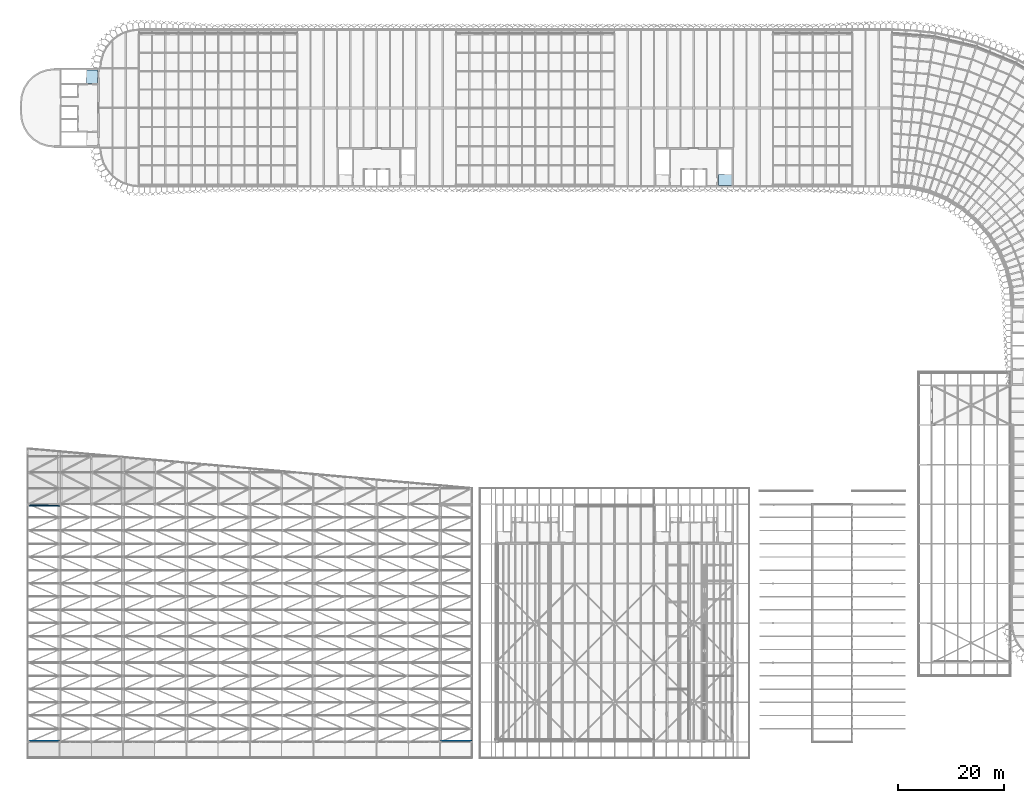
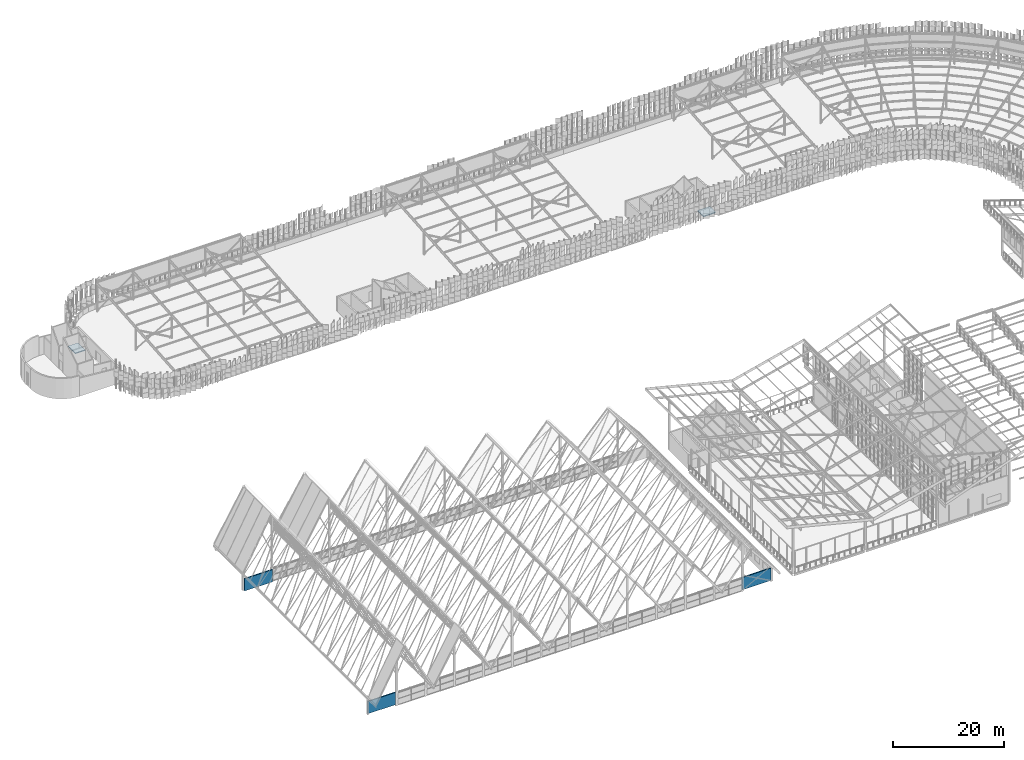
# One storey, part 114 of 483: 3 walls, 2 slabs.
"""IFC4 building model written with IfcOpenShell, lengths in metres."""

from ifc_helpers import new_model, si_unit, direction, frame, frame_2d, origin, place, context, subcontext, project, spatial, polyline, rectangle, outline, extrude, material, layer, layer_set, type_object, element, save


model = new_model("IFC4")

# Units and contexts
model_context = context("Model", 3, precision=1e-05, world=origin(), true_north=direction((0.0, 1.0)))
body_context = subcontext(model_context, "Body", "Model", "MODEL_VIEW")
ifc_project = project(units=[si_unit("LENGTHUNIT", "METRE"), si_unit("AREAUNIT", "SQUARE_METRE"), si_unit("VOLUMEUNIT", "CUBIC_METRE"), si_unit("PLANEANGLEUNIT", "RADIAN"), si_unit("MASSUNIT", "GRAM", prefix="KILO")], contexts=[model_context])

# Site, building, storey
site_placement = place(None, origin())
site = spatial("IfcSite", under=ifc_project, at=site_placement, CompositionType="ELEMENT")
building_placement = place(site_placement, origin())
building = spatial("IfcBuilding", under=site, at=building_placement, Name="Parallax Yard Mobility Hub", CompositionType="ELEMENT")
storey_placement = place(building_placement, frame((0.0, 0.0, 13.199951171875)))
storey = spatial("IfcBuildingStorey", under=building, at=storey_placement, Name="L04", CompositionType="ELEMENT", Elevation=13.199951171875)

# Slabs
ifc_material = material(Name="Concrete fc' 35 MPa", Category="concrete")
ifc_layer_1 = layer(ifc_material, 0.199951171875)
ifc_layer_set_1 = layer_set([ifc_layer_1], Name="Stair floor landing slab 200")
slab_type = type_object("IfcSlabType", Name="Stair floor landing slab 200", PredefinedType="FLOOR", material=ifc_layer_set_1)
slab_1_placement = place(storey_placement, frame((0.0, 0.0, -0.199951171875)))
element("IfcSlab", 1, at=slab_1_placement, inside=storey, type_object=slab_type, Name="Core C-W exit stair 2 floor landing level L04", PredefinedType="FLOOR", context=body_context, shape_type="SweptSolid", body=[
    extrude(outline(polyline([(20.10009765625, 132.14990234375), (20.10009765625, 134.699951171875), (22.199951171875, 134.699951171875), (22.199951171875, 132.14990234375), (20.10009765625, 132.14990234375)])), origin(), (0.0, 0.0, 1.0), 0.199951171875),
])
slab_2_placement = place(storey_placement, frame((0.0, 0.0, -0.199951171875)))
element("IfcSlab", 2, at=slab_2_placement, inside=storey, type_object=slab_type, Name="Core C-N2 exit stair 1 floor landing level L04", PredefinedType="FLOOR", context=body_context, shape_type="SweptSolid", body=[
    extrude(outline(polyline([(139.64990234375, 114.89990234375), (139.64990234375, 112.800048828125), (142.199951171875, 112.800048828125), (142.199951171875, 114.89990234375), (139.64990234375, 114.89990234375)])), origin(), (0.0, 0.0, 1.0), 0.199951171875),
])

# Walls
ifc_layer_2 = layer(ifc_material, 0.219970703125)
ifc_layer_set_2 = layer_set([ifc_layer_2], Name="Gable panel, Concrete fc' 35 MPa precast, 220")
wall_type = type_object("IfcWallType", Name="Gable panel, Concrete fc' 35 MPa precast, 220", PredefinedType="SOLIDWALL", material=ifc_layer_set_2)
wall_1_placement = place(storey_placement, frame((9.1865234375, 7.74951171875, 0.0), z_axis=(0.0, 0.0, 1.0), x_axis=(1.0, 0.0, 0.0)))
element("IfcWall", 3, at=wall_1_placement, inside=storey, type_object=wall_type, Name="Bus and taxi deck south gable wall bay 1 level L04", PredefinedType="SOLIDWALL", context=body_context, shape_type="SweptSolid", body=[
    extrude(rectangle(XDim=5.8134765625, YDim=0.219970703125, at=frame_2d((2.90673828125, 0.0))), origin(), (0.0, 0.0, 1.0), 2.7099609375),
])
wall_2_placement = place(storey_placement, frame((87.0, 7.72900390625, 0.0), z_axis=(0.0, 0.0, 1.0), x_axis=(1.0, 0.0, 0.0)))
element("IfcWall", 4, at=wall_2_placement, inside=storey, type_object=wall_type, Name="Bus and taxi deck south gable wall bay 14 level L04", PredefinedType="SOLIDWALL", context=body_context, shape_type="SweptSolid", body=[
    extrude(rectangle(XDim=5.969970703125, YDim=0.219970703125, at=frame_2d((2.98486328125, 0.0))), origin(), (0.0, 0.0, 1.0), 2.7099609375),
])
wall_3_placement = place(storey_placement, frame((9.1865234375, 52.25048828125, 0.0), z_axis=(0.0, 0.0, 1.0), x_axis=(1.0, 0.0, 0.0)))
element("IfcWall", 5, at=wall_3_placement, inside=storey, type_object=wall_type, Name="Bus and taxi deck north gable wall bay 1 level L04", PredefinedType="SOLIDWALL", context=body_context, shape_type="SweptSolid", body=[
    extrude(rectangle(XDim=5.8134765625, YDim=0.219970703125, at=frame_2d((2.90673828125, 0.0))), origin(), (0.0, 0.0, 1.0), 2.7099609375),
])

save(model, "model.ifc")
